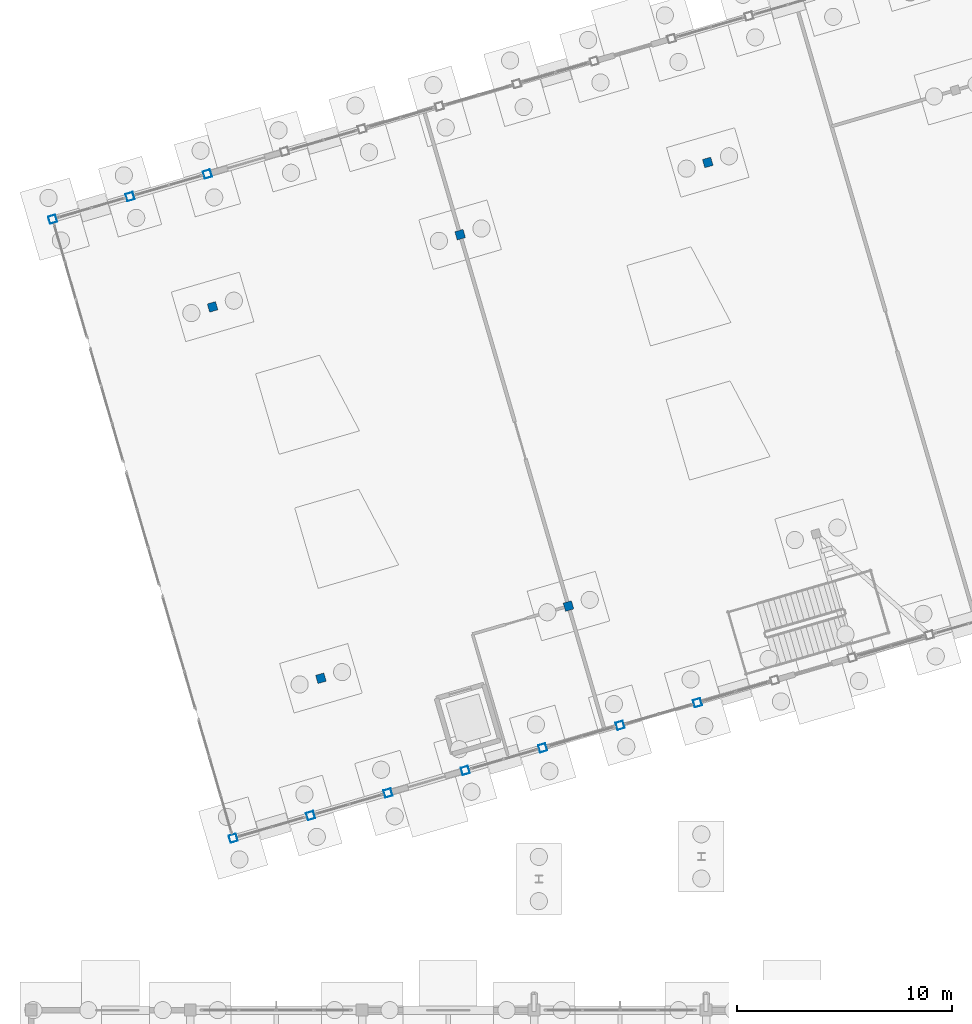
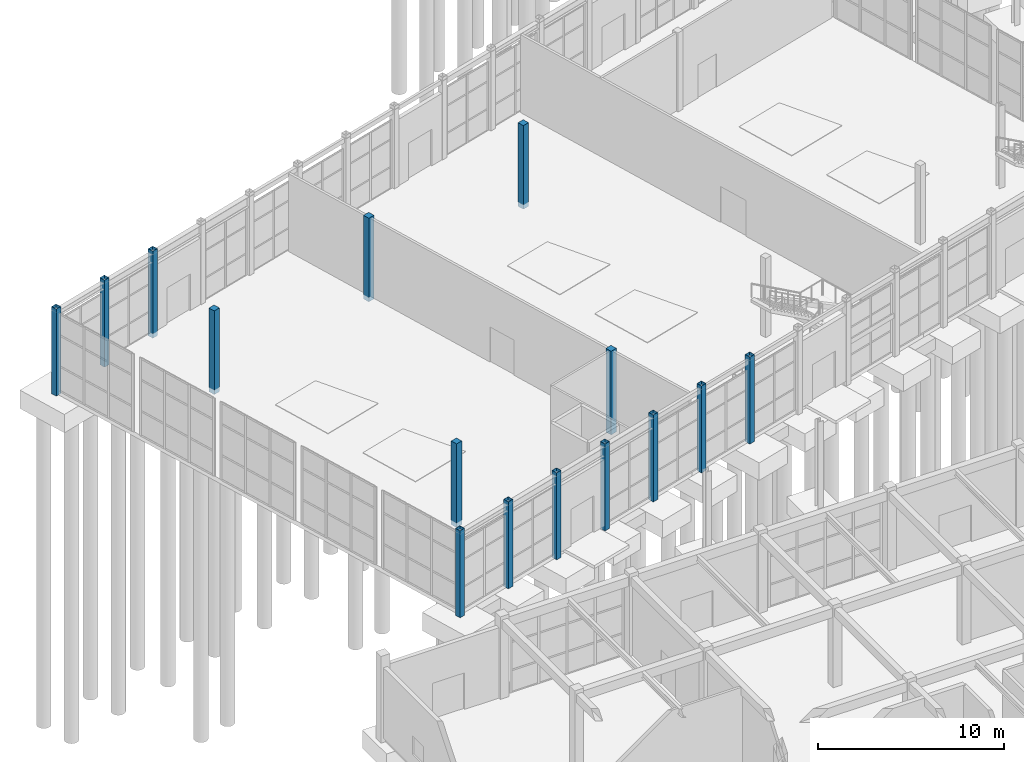
# One storey, part 7 of 90: 15 columns.
"""IFC4 building model written with IfcOpenShell, lengths in metres."""

import ifcopenshell
import ifcopenshell.guid

model = None  # the IFC model being written
_history = None  # IfcOwnerHistory: only IFC2X3 demands one
_inside = {}  # id of a spatial element -> (the spatial element, [elements in it])
_under = {}  # id of a project, library or spatial element -> (it, [spatial elements below it])
_declared = {}  # id of a project -> (the project, [libraries it declares])
_typed = {}  # id of a type object -> (the type object, [elements of that type])
_made_of = {}  # id of a material, layer set ... -> (it, [elements and type objects made of it])


def new_model(schema):
    """Start an empty IFC model of exactly this schema.

    Asked for "IFC4X3", IfcOpenShell would pick the latest addendum, in which some entities
    have other attributes; the version numbers below select the first issue.
    IFC2X3 requires an IfcOwnerHistory on every rooted entity: one is made here for all.
    """
    global model, _history
    if schema == "IFC4X3":
        model = ifcopenshell.file(schema_version=(4, 3, 0, 0))
    else:
        model = ifcopenshell.file(schema=schema)
    _inside.clear()
    _under.clear()
    _declared.clear()
    _typed.clear()
    _made_of.clear()
    _history = None
    if model.schema == "IFC2X3":
        org = make("IfcOrganization", Name="unknown")
        user = make(
            "IfcPersonAndOrganization",
            ThePerson=make("IfcPerson", FamilyName="unknown"),
            TheOrganization=org,
        )
        app = make(
            "IfcApplication",
            ApplicationDeveloper=org,
            Version="unknown",
            ApplicationFullName="unknown",
            ApplicationIdentifier="unknown",
        )
        _history = make(
            "IfcOwnerHistory",
            OwningUser=user,
            OwningApplication=app,
            ChangeAction="ADDED",
            CreationDate=0,
        )
    return model


def make(cls, **values):
    """One entity of the class cls with the attributes given. An attribute that is None is left unset."""
    return model.create_entity(
        cls, **{name: value for name, value in values.items() if value is not None}
    )


def rooted(cls, **values):
    """An entity with a GlobalId (a new one), such as an element, a storey or a relation."""
    return make(cls, GlobalId=ifcopenshell.guid.new(), OwnerHistory=_history, **values)


def si_unit(unit_type, name, prefix=None):
    """IfcSIUnit, for example si_unit("LENGTHUNIT", "METRE", prefix="MILLI")."""
    return make("IfcSIUnit", UnitType=unit_type, Prefix=prefix, Name=name)


def assignment(units):
    """IfcUnitAssignment: the units of a project."""
    return None if units is None else make("IfcUnitAssignment", Units=units)


def point(xyz):
    """IfcCartesianPoint."""
    return None if xyz is None else make("IfcCartesianPoint", Coordinates=xyz)


def direction(xyz):
    """IfcDirection."""
    return None if xyz is None else make("IfcDirection", DirectionRatios=xyz)


def frame(location, z_axis=None, x_axis=None):
    """IfcAxis2Placement3D, a coordinate frame: its origin and axes. An axis left out is left unset."""
    return make(
        "IfcAxis2Placement3D",
        Location=point(location),
        Axis=direction(z_axis),
        RefDirection=direction(x_axis),
    )


def frame_2d(location, x_axis=None):
    """IfcAxis2Placement2D, a coordinate frame in the plane: its origin and x axis."""
    return make(
        "IfcAxis2Placement2D", Location=point(location), RefDirection=direction(x_axis)
    )


def origin():
    """The frame at (0, 0, 0) with its axes left unset."""
    return frame((0.0, 0.0, 0.0))


def origin_2d():
    """The frame at (0, 0) in the plane with its x axis left unset."""
    return frame_2d((0.0, 0.0))


def place(relative_to, where):
    """IfcLocalPlacement: puts the frame where relative to a parent placement (None: the world)."""
    return make(
        "IfcLocalPlacement", PlacementRelTo=relative_to, RelativePlacement=where
    )


def context(
    kind, dimensions, precision=None, world=None, true_north=None, identifier=None
):
    """IfcGeometricRepresentationContext, for example the 3D "Model" context."""
    return make(
        "IfcGeometricRepresentationContext",
        ContextIdentifier=identifier,
        ContextType=kind,
        CoordinateSpaceDimension=dimensions,
        Precision=precision,
        WorldCoordinateSystem=world,
        TrueNorth=true_north,
    )


def subcontext(parent, identifier, kind, view, scale=None):
    """IfcGeometricRepresentationSubContext, for example "Body" below "Model"."""
    return make(
        "IfcGeometricRepresentationSubContext",
        ContextIdentifier=identifier,
        ContextType=kind,
        ParentContext=parent,
        TargetScale=scale,
        TargetView=view,
    )


def project(units=None, contexts=None):
    """IfcProject with its units and contexts."""
    return rooted(
        "IfcProject",
        Name="project",
        RepresentationContexts=contexts,
        UnitsInContext=assignment(units),
    )


def spatial(cls, under=None, at=None, **own):
    """A site, building, storey or space (cls), placed at a placement, below another one or the project."""
    s = rooted(cls, ObjectPlacement=at, **own)
    if under is not None:
        _under.setdefault(under.id(), (under, []))[1].append(s)
    return s


def profile(cls, at=None, kind="AREA", **sizes):
    """A parametric profile (cls). Its sizes go by their IFC names, for example OverallWidth=200.0."""
    return make(cls, ProfileType=kind, Position=at, **sizes)


def rectangle(**sizes):
    """IfcRectangleProfileDef."""
    return profile("IfcRectangleProfileDef", **sizes)


def hollow_rectangle(**sizes):
    """IfcRectangleHollowProfileDef."""
    return profile("IfcRectangleHollowProfileDef", **sizes)


def extrude(swept, where, along, depth):
    """IfcExtrudedAreaSolid: the profile swept, set in the frame where, extruded along a direction by depth."""
    return make(
        "IfcExtrudedAreaSolid",
        SweptArea=swept,
        Position=where,
        ExtrudedDirection=direction(along),
        Depth=depth,
    )


def shape(context_of_items, identifier, shape_type, items):
    """IfcShapeRepresentation: the items that make up one representation, for example the "Body"."""
    return make(
        "IfcShapeRepresentation",
        ContextOfItems=context_of_items,
        RepresentationIdentifier=identifier,
        RepresentationType=shape_type,
        Items=items,
    )


def material(Name=None, Category=None):
    """IfcMaterial."""
    return make("IfcMaterial", Name=Name, Category=Category)


def material_profile(
    of_material, cross_section, Name=None, Category=None, Priority=None
):
    """IfcMaterialProfile: a cross section and its material."""
    return make(
        "IfcMaterialProfile",
        Name=Name,
        Material=of_material,
        Profile=cross_section,
        Priority=Priority,
        Category=Category,
    )


def profile_set(profiles, Name=None, composite=None):
    """IfcMaterialProfileSet."""
    return make(
        "IfcMaterialProfileSet",
        Name=Name,
        MaterialProfiles=profiles,
        CompositeProfile=composite,
    )


def made_of(thing, what):
    """Note that an element or type object is made of a material, layer set ...; save() writes the relation."""
    if what is not None:
        _made_of.setdefault(what.id(), (what, []))[1].append(thing)
    return thing


def type_object(cls, material=None, **own):
    """A type object (cls), such as IfcWallType, which elements share."""
    return made_of(rooted(cls, **own), material)


def element(
    cls,
    number,
    at=None,
    inside=None,
    cuts=None,
    type_object=None,
    material=None,
    context=None,
    identifier="Body",
    shape_type=None,
    held_by="IfcProductDefinitionShape",
    body=None,
    shapes=None,
    **own,
):
    """One element of the class cls, such as IfcWall. Its Tag is "e" and its number.

    at: its placement. inside: the storey or other place that contains it. cuts: it is an
    opening in that element (IfcRelVoidsElement). A single representation is given by context,
    identifier, shape_type and body (its items); several are given by shapes. held_by: the class
    of the entity that holds the representations. save() writes the other relations.
    """
    e = rooted(cls, Tag="e%d" % number, ObjectPlacement=at, **own)
    if body is not None:
        shapes = [shape(context, identifier, shape_type, body)]
    if shapes is not None:
        e.Representation = make(held_by, Representations=shapes)
    if inside is not None:
        _inside.setdefault(inside.id(), (inside, []))[1].append(e)
    if cuts is not None:
        rooted(
            "IfcRelVoidsElement", RelatingBuildingElement=cuts, RelatedOpeningElement=e
        )
    if type_object is not None:
        _typed.setdefault(type_object.id(), (type_object, []))[1].append(e)
    return made_of(e, material)


def aggregate(whole, parts):
    """IfcRelAggregates: a whole, such as a stair, and the parts it consists of."""
    return rooted("IfcRelAggregates", RelatingObject=whole, RelatedObjects=parts)


def save(model, path):
    """Write the relations noted so far, then the file.

    IfcRelAggregates (storeys below a building ...), IfcRelContainedInSpatialStructure (elements
    in a storey), IfcRelDefinesByType, IfcRelAssociatesMaterial and IfcRelDeclares: one each for
    every whole, place, type object, material and project.
    """
    for whole, parts in _under.values():
        aggregate(whole, parts)
    for where, things in _inside.values():
        rooted(
            "IfcRelContainedInSpatialStructure",
            RelatedElements=things,
            RelatingStructure=where,
        )
    for kind, things in _typed.values():
        rooted("IfcRelDefinesByType", RelatedObjects=things, RelatingType=kind)
    for what, things in _made_of.values():
        rooted("IfcRelAssociatesMaterial", RelatedObjects=things, RelatingMaterial=what)
    for by, libraries in _declared.values():
        rooted("IfcRelDeclares", RelatingContext=by, RelatedDefinitions=libraries)
    model.write(path)


model = new_model("IFC4")

# Units and contexts
model_context = context("Model", 3, precision=1e-05, world=origin(), true_north=direction((0.0, 1.0)))
body_context = subcontext(model_context, "Body", "Model", "MODEL_VIEW")
ifc_project = project(units=[si_unit("LENGTHUNIT", "METRE"), si_unit("AREAUNIT", "SQUARE_METRE"), si_unit("VOLUMEUNIT", "CUBIC_METRE"), si_unit("PLANEANGLEUNIT", "RADIAN"), si_unit("MASSUNIT", "GRAM", prefix="KILO")], contexts=[model_context])

# Site, building, storey
site_placement = place(None, origin())
site = spatial("IfcSite", under=ifc_project, at=site_placement, CompositionType="ELEMENT")
building_placement = place(site_placement, origin())
building = spatial("IfcBuilding", under=site, at=building_placement, Name="Canggui Botanical Conservatory", CompositionType="ELEMENT")
storey_placement = place(building_placement, origin())
storey = spatial("IfcBuildingStorey", under=building, at=storey_placement, Name="L01", CompositionType="ELEMENT", Elevation=0.0)

# Columns
ifc_material_1 = material(Name="Steel Q355C", Category="steel")
ifc_material_profile_1 = material_profile(ifc_material_1, hollow_rectangle(XDim=0.35009765625, YDim=0.35009765625, WallThickness=0.011962890625, at=origin_2d()), Name="SHS 350x350x12")
ifc_profile_set_1 = profile_set([ifc_material_profile_1], Name="Steel Q355C")
column_type_1 = type_object("IfcColumnType", Name="COL-GZ01", PredefinedType="COLUMN", material=ifc_profile_set_1)
for number, where, z_axis, x_axis, name in (
    (1, (20.0, 42.0, -0.300048828125), (0.0, 0.0, 1.0), (0.960000000041, 0.279999999861, 0.0), "Conservatory Perimeter Steel Column L01 R1-V0"),
    (2, (23.60009765625, 43.050048828125, -0.300048828125), (0.0, 0.0, 1.0), (0.960000000041, 0.279999999861, 0.0), "Conservatory Perimeter Steel Column L01 R2-V0"),
    (3, (27.199951171875, 44.10009765625, -0.300048828125), (0.0, 0.0, 1.0), (0.960000000041, 0.279999999861, 0.0), "Conservatory Perimeter Steel Column L01 R3-V0"),
    (4, (30.800048828125, 45.14990234375, -0.300048828125), (0.0, 0.0, 1.0), (0.960000000041, 0.279999999861, 0.0), "Conservatory Perimeter Steel Column L01 R4-V0"),
    (5, (34.39990234375, 46.199951171875, -0.300048828125), (0.0, 0.0, 1.0), (0.960000000041, 0.279999999861, 0.0), "Conservatory Perimeter Steel Column L01 R5-V0"),
    (6, (38.0, 47.25, -0.300048828125), (0.0, 0.0, 1.0), (0.960000000041, 0.279999999861, 0.0), "Conservatory Perimeter Steel Column L01 R6-V0"),
    (7, (41.60009765625, 48.300048828125, -0.300048828125), (0.0, 0.0, 1.0), (0.960000000041, 0.279999999861, 0.0), "Conservatory Perimeter Steel Column L01 R7-V0"),
    (8, (11.60009765625, 70.800048828125, -0.300048828125), (0.0, 0.0, 1.0), (0.960000000041, 0.279999999861, 0.0), "Conservatory Perimeter Steel Column L01 R1-V1"),
    (9, (15.199951171875, 71.85009765625, -0.300048828125), (0.0, 0.0, 1.0), (0.960000000041, 0.279999999861, 0.0), "Conservatory Perimeter Steel Column L01 R2-V1"),
    (10, (18.800048828125, 72.89990234375, -0.300048828125), (0.0, 0.0, 1.0), (0.960000000041, 0.279999999861, 0.0), "Conservatory Perimeter Steel Column L01 R3-V1"),
):
    element("IfcColumn", number, at=place(storey_placement, frame(where, z_axis=z_axis, x_axis=x_axis)), inside=storey, type_object=column_type_1, Name=name, PredefinedType="COLUMN", context=body_context, shape_type="SweptSolid", body=[
        extrude(hollow_rectangle(XDim=0.35009765625, YDim=0.35009765625, WallThickness=0.011962890625, at=origin_2d()), origin(), (0.0, 0.0, 1.0), 5.699951171875),
    ])
ifc_material_2 = material(Name="Concrete C35", Category="concrete")
ifc_material_profile_2 = material_profile(ifc_material_2, rectangle(XDim=0.39990234375, YDim=0.39990234375, at=origin_2d()), Name="RC 400x400")
ifc_profile_set_2 = profile_set([ifc_material_profile_2], Name="Concrete C35")
column_type_2 = type_object("IfcColumnType", Name="COL-KZ15", PredefinedType="COLUMN", material=ifc_profile_set_2)
for number, where, z_axis, x_axis, name in (
    (11, (24.080078125, 49.43994140625, -0.300048828125), (0.0, 0.0, 1.0), (0.960000000041, 0.279999999861, 0.0), "Conservatory Skywalk Column 01"),
    (12, (19.0400390625, 66.719970703125, -0.300048828125), (0.0, 0.0, 1.0), (0.960000000041, 0.279999999861, 0.0), "Conservatory Skywalk Column 02"),
    (13, (35.60009765625, 52.800048828125, -0.300048828125), (0.0, 0.0, 1.0), (0.960000000041, 0.279999999861, 0.0), "Conservatory Skywalk Column 03"),
    (14, (30.56005859375, 70.080078125, -0.300048828125), (0.0, 0.0, 1.0), (0.960000000041, 0.279999999861, 0.0), "Conservatory Skywalk Column 04"),
    (15, (42.080078125, 73.43994140625, -0.300048828125), (0.0, 0.0, 1.0), (0.960000000041, 0.279999999861, 0.0), "Conservatory Skywalk Column 06"),
):
    element("IfcColumn", number, at=place(storey_placement, frame(where, z_axis=z_axis, x_axis=x_axis)), inside=storey, type_object=column_type_2, Name=name, PredefinedType="COLUMN", context=body_context, shape_type="SweptSolid", body=[
        extrude(rectangle(XDim=0.39990234375, YDim=0.39990234375, at=origin_2d()), origin(), (0.0, 0.0, 1.0), 5.47998046875),
    ])

save(model, "model.ifc")
